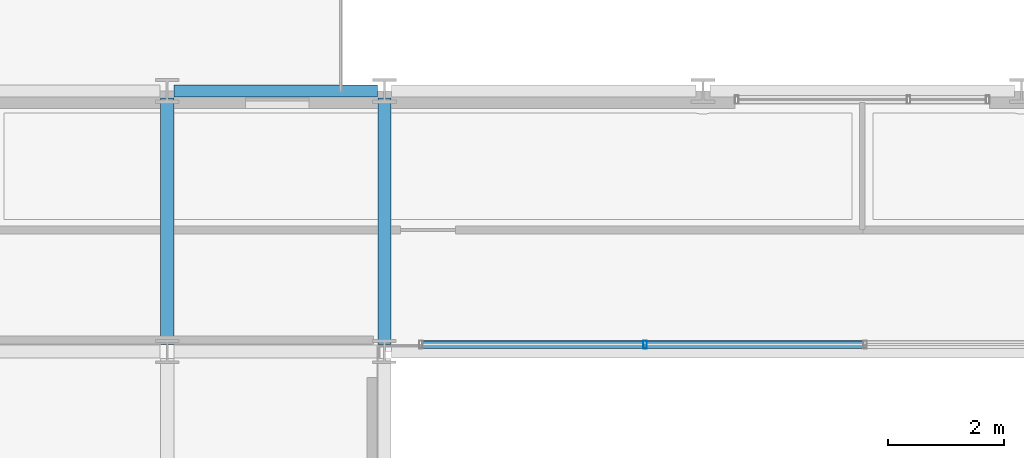
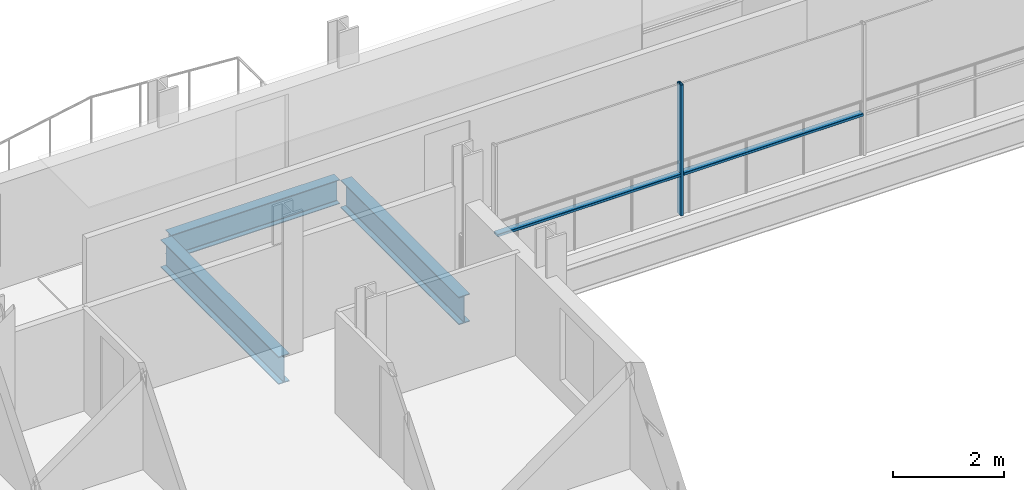
# One storey, part 9 of 39: 3 beams, 3 members, 1 element without a shape of its own.
"""IFC4 building model written with IfcOpenShell, lengths in metres."""

from ifc_helpers import new_model, si_unit, direction, frame, origin, origin_2d, place, context, subcontext, project, spatial, hollow_rectangle, i_section, extrude, material, layer, layer_set, material_profile, profile_set, type_object, element, aggregate, save


model = new_model("IFC4")

# Units and contexts
model_context = context("Model", 3, precision=1e-05, world=origin(), true_north=direction((0.0, 1.0)))
body_context = subcontext(model_context, "Body", "Model", "MODEL_VIEW")
ifc_project = project(units=[si_unit("LENGTHUNIT", "METRE"), si_unit("AREAUNIT", "SQUARE_METRE"), si_unit("VOLUMEUNIT", "CUBIC_METRE"), si_unit("PLANEANGLEUNIT", "RADIAN"), si_unit("MASSUNIT", "GRAM", prefix="KILO")], contexts=[model_context])

# Site, building, storey
site_placement = place(None, origin())
site = spatial("IfcSite", under=ifc_project, at=site_placement, CompositionType="ELEMENT")
building_placement = place(site_placement, origin())
building = spatial("IfcBuilding", under=site, at=building_placement, Name="Brevholm Reach", CompositionType="ELEMENT")
storey_placement = place(building_placement, frame((0.0, 0.0, 103.5)))
storey = spatial("IfcBuildingStorey", under=building, at=storey_placement, Name="L30", CompositionType="ELEMENT", Elevation=103.5)

# Beams
ifc_material_1 = material(Name="Structural Steel S355J2", Category="steel")
ifc_material_profile_1 = material_profile(ifc_material_1, i_section(OverallWidth=0.209228515625, OverallDepth=0.533203125, WebThickness=0.010009765625, FlangeThickness=0.015625, FilletRadius=0.0126953125, at=origin_2d()), Name="UKB 533x210x92")
ifc_profile_set_1 = profile_set([ifc_material_profile_1], Name="Structural Steel S355J2")
beam_type_1 = type_object("IfcBeamType", Name="BM-SP533", PredefinedType="SPANDREL", material=ifc_profile_set_1)
beam_placement = place(storey_placement, frame((18.1201171875, 31.0, -0.486572265625), z_axis=(1.0, 0.0, 0.0), x_axis=(0.0, 1.0, 0.0)))
element("IfcBeam", 1, at=beam_placement, inside=storey, type_object=beam_type_1, Name="L30 SP-02 Framing Beam", PredefinedType="SPANDREL", context=body_context, shape_type="SweptSolid", body=[
    extrude(i_section(OverallWidth=0.209228515625, OverallDepth=0.533203125, WebThickness=0.010009765625, FlangeThickness=0.015625, FilletRadius=0.0126953125, at=origin_2d()), origin(), (0.0, 0.0, 1.0), 3.509765625),
])
ifc_material_2 = material(Name="Structural Steel S355J2", Category="steel")
ifc_material_profile_2 = material_profile(ifc_material_2, i_section(OverallWidth=0.22900390625, OverallDepth=0.6123046875, WebThickness=0.011962890625, FlangeThickness=0.01953125, FilletRadius=0.0126953125, at=origin_2d()), Name="UKB 610x229x125")
ifc_profile_set_2 = profile_set([ifc_material_profile_2], Name="Structural Steel S355J2")
beam_type_2 = type_object("IfcBeamType", Name="BM-SP610", PredefinedType="SPANDREL", material=ifc_profile_set_2)
for number, where, z_axis, x_axis, name in (
    (2, (18.0, 26.6201171875, -0.526123046875), (0.0, 1.0, 0.0), (-1.0, 0.0, 0.0), "L30 SP-01 Framing Beam"),
    (3, (21.75, 26.6201171875, -0.526123046875), (0.0, 1.0, 0.0), (-1.0, 0.0, 0.0), "L30 SP-01 Framing Beam"),
):
    element("IfcBeam", number, at=place(storey_placement, frame(where, z_axis=z_axis, x_axis=x_axis)), inside=storey, type_object=beam_type_2, Name=name, PredefinedType="SPANDREL", context=body_context, shape_type="SweptSolid", body=[
        extrude(i_section(OverallWidth=0.22900390625, OverallDepth=0.6123046875, WebThickness=0.011962890625, FlangeThickness=0.01953125, FilletRadius=0.0126953125, at=origin_2d()), origin(), (0.0, 0.0, 1.0), 4.259765625),
    ])

# Curtain wall, members
ifc_material_3 = material(Name="Dark Anodised Aluminium 6063-T6 and Solar-Control Glass", Category="aluminium")
ifc_layer = layer(ifc_material_3, 0.139892578125)
ifc_layer_set = layer_set([ifc_layer], Name="Dark Anodised Aluminium 6063-T6 and Solar-Control Glass")
curtain_wall_type = type_object("IfcCurtainWallType", Name="CW-02", PredefinedType="NOTDEFINED", material=ifc_layer_set)
curtain_wall_placement = place(storey_placement, origin())
curtain_wall = element("IfcCurtainWall", 4, at=curtain_wall_placement, inside=storey, type_object=curtain_wall_type, Name="L30 Curtain Wall CW-02", PredefinedType="NOTDEFINED")
ifc_material_4 = material(Name="Dark Anodised Aluminium 6063-T6", Category="aluminium")
ifc_material_profile_3 = material_profile(ifc_material_4, hollow_rectangle(XDim=0.06005859375, YDim=0.139892578125, WallThickness=0.0048828125, InnerFilletRadius=0.0048828125, OuterFilletRadius=0.010009765625, at=origin_2d()), Name="RHS 140x60x5")
ifc_profile_set_3 = profile_set([ifc_material_profile_3], Name="Dark Anodised Aluminium 6063-T6")
member_type_1 = type_object("IfcMemberType", Name="CWM-140", PredefinedType="MULLION", material=ifc_profile_set_3)
member_1_placement = place(storey_placement, frame((26.25, 26.6201171875, 0.0), z_axis=(0.0, 0.0, 1.0), x_axis=(-1.0, 0.0, 0.0)))
member_1 = element("IfcMember", 5, at=member_1_placement, type_object=member_type_1, Name="CM-140 Mullion 4", PredefinedType="MULLION", context=body_context, shape_type="SweptSolid", body=[
    extrude(hollow_rectangle(XDim=0.06005859375, YDim=0.139892578125, WallThickness=0.0048828125, InnerFilletRadius=0.0048828125, OuterFilletRadius=0.010009765625, at=origin_2d()), origin(), (0.0, 0.0, 1.0), 2.8798828125),
])
ifc_material_5 = material(Name="Dark Anodised Aluminium 6063-T6", Category="aluminium")
ifc_material_profile_4 = material_profile(ifc_material_5, hollow_rectangle(XDim=0.06005859375, YDim=0.139892578125, WallThickness=0.0048828125, InnerFilletRadius=0.0048828125, OuterFilletRadius=0.010009765625, at=origin_2d()), Name="RHS 140x60x5")
ifc_profile_set_4 = profile_set([ifc_material_profile_4], Name="Dark Anodised Aluminium 6063-T6")
member_type_2 = type_object("IfcMemberType", Name="CWT-140", PredefinedType="NOTDEFINED", material=ifc_profile_set_4)
member_2_placement = place(storey_placement, frame((30.02001953125, 26.6201171875, 0.89990234375), z_axis=(-1.0, 0.0, 0.0), x_axis=(0.0, 0.0, 1.0)))
member_2 = element("IfcMember", 6, at=member_2_placement, type_object=member_type_2, Name="CT-140 Transom 3.1", ObjectType="TRANSOM", PredefinedType="USERDEFINED", context=body_context, shape_type="SweptSolid", body=[
    extrude(hollow_rectangle(XDim=0.06005859375, YDim=0.139892578125, WallThickness=0.0048828125, InnerFilletRadius=0.0048828125, OuterFilletRadius=0.010009765625, at=origin_2d()), origin(), (0.0, 0.0, 1.0), 3.739990234375),
])
member_3_placement = place(storey_placement, frame((26.219970703125, 26.6201171875, 0.89990234375), z_axis=(-1.0, 0.0, 0.0), x_axis=(0.0, 0.0, 1.0)))
member_3 = element("IfcMember", 7, at=member_3_placement, type_object=member_type_2, Name="CT-140 Transom 4.1", ObjectType="TRANSOM", PredefinedType="USERDEFINED", context=body_context, shape_type="SweptSolid", body=[
    extrude(hollow_rectangle(XDim=0.06005859375, YDim=0.139892578125, WallThickness=0.0048828125, InnerFilletRadius=0.0048828125, OuterFilletRadius=0.010009765625, at=origin_2d()), origin(), (0.0, 0.0, 1.0), 3.81005859375),
])
aggregate(curtain_wall, [member_1, member_2, member_3])

save(model, "model.ifc")
